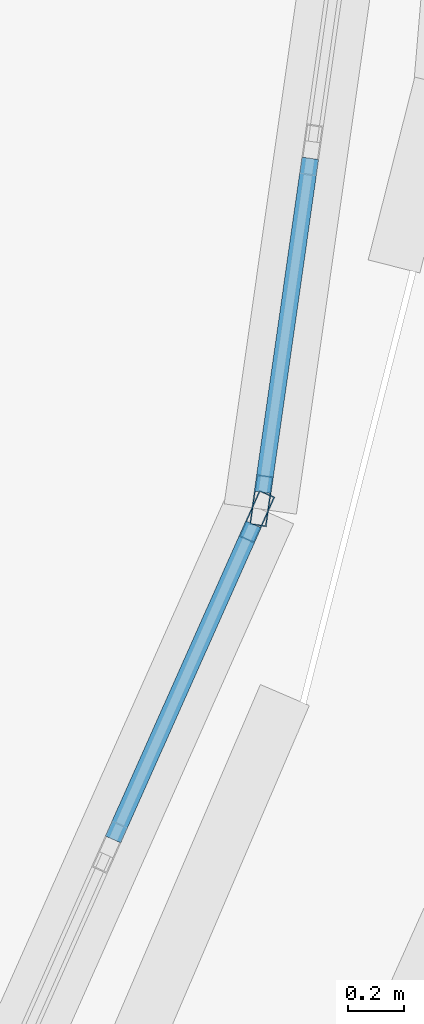
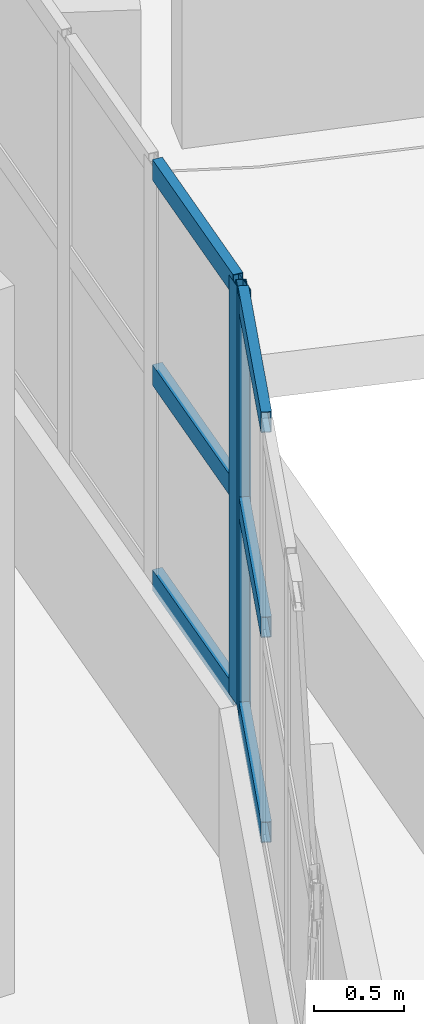
# One storey, part 18 of 98: 8 members, 2 elements without a shape of their own.
"""IFC4 building model written with IfcOpenShell, lengths in metres."""

from ifc_helpers import new_model, si_unit, direction, frame, origin, origin_2d, place, context, subcontext, project, spatial, hollow_rectangle, extrude, material, layer, layer_set, material_profile, profile_set, type_object, element, aggregate, save


model = new_model("IFC4")

# Units and contexts
model_context = context("Model", 3, precision=1e-05, world=origin(), true_north=direction((0.0, 1.0)))
body_context = subcontext(model_context, "Body", "Model", "MODEL_VIEW")
ifc_project = project(units=[si_unit("LENGTHUNIT", "METRE"), si_unit("AREAUNIT", "SQUARE_METRE"), si_unit("VOLUMEUNIT", "CUBIC_METRE"), si_unit("PLANEANGLEUNIT", "RADIAN"), si_unit("MASSUNIT", "GRAM", prefix="KILO")], contexts=[model_context])

# Site, building, storey
site_placement = place(None, origin())
site = spatial("IfcSite", under=ifc_project, at=site_placement, CompositionType="ELEMENT")
building_placement = place(site_placement, origin())
building = spatial("IfcBuilding", under=site, at=building_placement, Name="Pelvatis Terrace Science Centre", CompositionType="ELEMENT")
storey_placement = place(building_placement, frame((0.0, 0.0, 5.39990234375)))
storey = spatial("IfcBuildingStorey", under=building, at=storey_placement, Name="L01", CompositionType="ELEMENT", Elevation=5.39990234375)

# Curtain wall, member
ifc_material_1 = material(Name="Bronze-anodised aluminium and laminated glass", Category="aluminium")
ifc_layer = layer(ifc_material_1, 0.179931640625)
ifc_layer_set = layer_set([ifc_layer], Name="Bronze-anodised aluminium and laminated glass")
curtain_wall_type = type_object("IfcCurtainWallType", Name="CW-RIBBON-A", PredefinedType="NOTDEFINED", material=ifc_layer_set)
curtain_wall_1_placement = place(storey_placement, origin())
curtain_wall_1 = element("IfcCurtainWall", 1, at=curtain_wall_1_placement, inside=storey, type_object=curtain_wall_type, Name="Ribbon curtain wall CW-041 (L01)", PredefinedType="NOTDEFINED")
ifc_material_2 = material(Name="Bronze-anodised aluminium 6063-T6", Category="aluminium")
ifc_material_profile_1 = material_profile(ifc_material_2, hollow_rectangle(XDim=0.06005859375, YDim=0.179931640625, WallThickness=0.00390625, at=origin_2d()), Name="ALU-MUL 60x180")
ifc_profile_set_1 = profile_set([ifc_material_profile_1], Name="Bronze-anodised aluminium 6063-T6")
member_type_1 = type_object("IfcMemberType", Name="CWM-60x180", PredefinedType="MULLION", material=ifc_profile_set_1)
member_1_placement = place(storey_placement, frame((64.690185546875, 30.931640625, 1.02001953125), z_axis=(0.0, 0.0, 1.0), x_axis=(-0.913474922935, 0.406895029669, 0.0)))
member_1 = element("IfcMember", 2, at=member_1_placement, type_object=member_type_1, Name="CW-041 mullion 4", PredefinedType="MULLION", context=body_context, shape_type="SweptSolid", body=[
    extrude(hollow_rectangle(XDim=0.06005859375, YDim=0.179931640625, WallThickness=0.00390625, at=origin_2d()), origin(), (0.0, 0.0, 1.0), 2.840087890625),
])

curtain_wall_2_placement = place(storey_placement, origin())
curtain_wall_2 = element("IfcCurtainWall", 3, at=curtain_wall_2_placement, inside=storey, type_object=curtain_wall_type, Name="Ribbon curtain wall CW-042 (L01)", PredefinedType="NOTDEFINED")
member_2_placement = place(storey_placement, frame((64.70654296875, 30.98876953125, 1.02001953125), z_axis=(0.0, 0.0, 1.0), x_axis=(-0.989986059839, 0.141165156196, 0.0)))
member_2 = element("IfcMember", 4, at=member_2_placement, type_object=member_type_1, Name="CW-042 mullion 1", PredefinedType="MULLION", context=body_context, shape_type="SweptSolid", body=[
    extrude(hollow_rectangle(XDim=0.06005859375, YDim=0.179931640625, WallThickness=0.00390625, at=origin_2d()), origin(), (0.0, 0.0, 1.0), 2.840087890625),
])

# Member
ifc_material_3 = material(Name="Bronze-anodised aluminium 6063-T6", Category="aluminium")
ifc_material_profile_2 = material_profile(ifc_material_3, hollow_rectangle(XDim=0.06005859375, YDim=0.139892578125, WallThickness=0.00390625, at=origin_2d()), Name="ALU-TRN 60x140")
ifc_profile_set_2 = profile_set([ifc_material_profile_2], Name="Bronze-anodised aluminium 6063-T6")
member_type_2 = type_object("IfcMemberType", Name="CWT-60x140", PredefinedType="USERDEFINED", material=ifc_profile_set_2)
member_3_placement = place(storey_placement, frame((64.17724609375, 29.780517578125, 1.050048828125), z_axis=(0.407003652837, 0.913426530476, 0.0), x_axis=(-0.913426530476, 0.407003652837, 0.0)))
member_3 = element("IfcMember", 5, at=member_3_placement, type_object=member_type_2, Name="CW-041 transom 3.1", ObjectType="TRANSOM", PredefinedType="USERDEFINED", context=body_context, shape_type="SweptSolid", body=[
    extrude(hollow_rectangle(XDim=0.06005859375, YDim=0.139892578125, WallThickness=0.00390625, at=origin_2d()), origin(), (0.0, 0.0, 1.0), 1.230224609375),
])

member_4_placement = place(storey_placement, frame((64.17724609375, 29.780517578125, 2.440185546875), z_axis=(0.407003652837, 0.913426530476, 0.0), x_axis=(-0.913426530476, 0.407003652837, 0.0)))
member_4 = element("IfcMember", 6, at=member_4_placement, type_object=member_type_2, Name="CW-041 transom 3.2", ObjectType="TRANSOM", PredefinedType="USERDEFINED", context=body_context, shape_type="SweptSolid", body=[
    extrude(hollow_rectangle(XDim=0.06005859375, YDim=0.139892578125, WallThickness=0.00390625, at=origin_2d()), origin(), (0.0, 0.0, 1.0), 1.230224609375),
])

member_5_placement = place(storey_placement, frame((64.17724609375, 29.780517578125, 3.830078125), z_axis=(0.407003652837, 0.913426530476, 0.0), x_axis=(-0.913426530476, 0.407003652837, 0.0)))
member_5 = element("IfcMember", 7, at=member_5_placement, type_object=member_type_2, Name="CW-041 transom 3.3", ObjectType="TRANSOM", PredefinedType="USERDEFINED", context=body_context, shape_type="SweptSolid", body=[
    extrude(hollow_rectangle(XDim=0.06005859375, YDim=0.139892578125, WallThickness=0.00390625, at=origin_2d()), origin(), (0.0, 0.0, 1.0), 1.230224609375),
])

aggregate(curtain_wall_1, [member_1, member_3, member_4, member_5])

member_6_placement = place(storey_placement, frame((64.710693359375, 31.018310546875, 1.050048828125), z_axis=(0.141194143546, 0.989981926011, 0.0), x_axis=(-0.989981926011, 0.141194143546, 0.0)))
member_6 = element("IfcMember", 8, at=member_6_placement, type_object=member_type_2, Name="CW-042 transom 1.1", ObjectType="TRANSOM", PredefinedType="USERDEFINED", context=body_context, shape_type="SweptSolid", body=[
    extrude(hollow_rectangle(XDim=0.06005859375, YDim=0.139892578125, WallThickness=0.00390625, at=origin_2d()), origin(), (0.0, 0.0, 1.0), 1.203369140625),
])

member_7_placement = place(storey_placement, frame((64.710693359375, 31.018310546875, 2.440185546875), z_axis=(0.141194143546, 0.989981926011, 0.0), x_axis=(-0.989981926011, 0.141194143546, 0.0)))
member_7 = element("IfcMember", 9, at=member_7_placement, type_object=member_type_2, Name="CW-042 transom 1.2", ObjectType="TRANSOM", PredefinedType="USERDEFINED", context=body_context, shape_type="SweptSolid", body=[
    extrude(hollow_rectangle(XDim=0.06005859375, YDim=0.139892578125, WallThickness=0.00390625, at=origin_2d()), origin(), (0.0, 0.0, 1.0), 1.203369140625),
])

member_8_placement = place(storey_placement, frame((64.710693359375, 31.018310546875, 3.830078125), z_axis=(0.141194143546, 0.989981926011, 0.0), x_axis=(-0.989981926011, 0.141194143546, 0.0)))
member_8 = element("IfcMember", 10, at=member_8_placement, type_object=member_type_2, Name="CW-042 transom 1.3", ObjectType="TRANSOM", PredefinedType="USERDEFINED", context=body_context, shape_type="SweptSolid", body=[
    extrude(hollow_rectangle(XDim=0.06005859375, YDim=0.139892578125, WallThickness=0.00390625, at=origin_2d()), origin(), (0.0, 0.0, 1.0), 1.203369140625),
])

aggregate(curtain_wall_2, [member_2, member_6, member_7, member_8])

save(model, "model.ifc")
